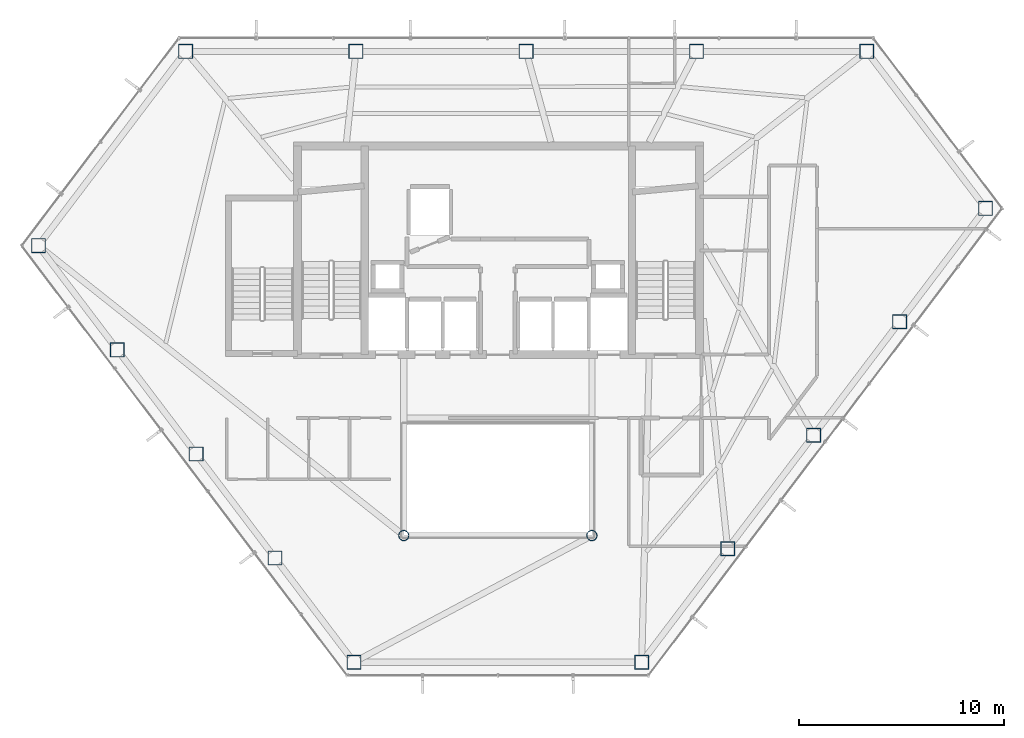
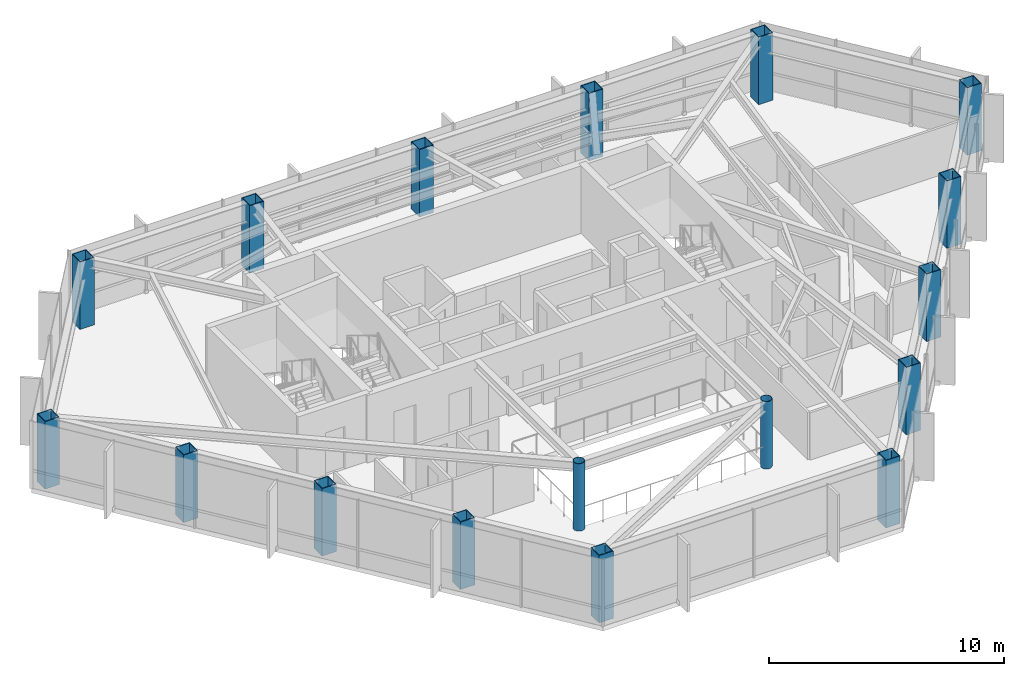
# One storey, part 1 of 27: 17 columns.
"""IFC4 building model written with IfcOpenShell, lengths in metres."""

from ifc_helpers import new_model, si_unit, direction, frame, origin, origin_2d, place, context, subcontext, project, spatial, hollow_rectangle, hollow_circle, extrude, material, material_profile, profile_set, type_object, element, save


model = new_model("IFC4")

# Units and contexts
model_context = context("Model", 3, precision=1e-05, world=origin(), true_north=direction((0.0, 1.0)))
body_context = subcontext(model_context, "Body", "Model", "MODEL_VIEW")
ifc_project = project(units=[si_unit("LENGTHUNIT", "METRE"), si_unit("AREAUNIT", "SQUARE_METRE"), si_unit("VOLUMEUNIT", "CUBIC_METRE"), si_unit("PLANEANGLEUNIT", "RADIAN"), si_unit("MASSUNIT", "GRAM", prefix="KILO")], contexts=[model_context])

# Site, building, storey
site_placement = place(None, origin())
site = spatial("IfcSite", under=ifc_project, at=site_placement, CompositionType="ELEMENT")
building_placement = place(site_placement, origin())
building = spatial("IfcBuilding", under=site, at=building_placement, Name="Zarrinselat Tower", CompositionType="ELEMENT")
storey_placement = place(building_placement, frame((0.0, 0.0, 175.780029296875)))
storey = spatial("IfcBuildingStorey", under=building, at=storey_placement, Name="L43", CompositionType="ELEMENT", Elevation=175.780029296875)

# Columns
ifc_material_1 = material(Name="Steel S355J2", Category="steel")
ifc_material_profile_1 = material_profile(ifc_material_1, hollow_circle(Radius=0.25390625, WallThickness=0.02001953125, at=origin_2d()), Name="CHS 508x20")
ifc_profile_set_1 = profile_set([ifc_material_profile_1], Name="Steel S355J2")
column_type_1 = type_object("IfcColumnType", Name="COL-CHS508", PredefinedType="COLUMN", material=ifc_profile_set_1)
for number, where, z_axis, x_axis, name in (
    (1, (33.800048828125, 24.39990234375, 0.0), (0.0, 0.0, 1.0), (1.0, 0.0, 0.0), "L43 Atrium Corner Column 1"),
    (2, (43.0, 24.39990234375, 0.0), (0.0, 0.0, 1.0), (1.0, 0.0, 0.0), "L43 Atrium Corner Column 2"),
):
    element("IfcColumn", number, at=place(storey_placement, frame(where, z_axis=z_axis, x_axis=x_axis)), inside=storey, type_object=column_type_1, Name=name, PredefinedType="COLUMN", context=body_context, shape_type="SweptSolid", body=[
        extrude(hollow_circle(Radius=0.25390625, WallThickness=0.02001953125, at=origin_2d()), origin(), (0.0, 0.0, 1.0), 3.5),
    ])
ifc_material_2 = material(Name="Steel S355J2", Category="steel")
ifc_material_profile_2 = material_profile(ifc_material_2, hollow_rectangle(XDim=0.699951171875, YDim=0.699951171875, WallThickness=0.034912109375, at=origin_2d()), Name="SHS 700x700x35")
ifc_profile_set_2 = profile_set([ifc_material_profile_2], Name="Steel S355J2")
column_type_2 = type_object("IfcColumnType", Name="COL-SHS700", PredefinedType="COLUMN", material=ifc_profile_set_2)
for number, where, z_axis, x_axis, name in (
    (3, (56.435791015625, 48.072265625, 0.0), (0.0, 0.0, 1.0), (1.0, 0.0, 0.0), "L43 Framed-Tube Column T01"),
    (4, (48.110107421875, 48.072265625, 0.0), (0.0, 0.0, 1.0), (1.0, 0.0, 0.0), "L43 Framed-Tube Column T02"),
    (5, (39.784423828125, 48.072265625, 0.0), (0.0, 0.0, 1.0), (1.0, 0.0, 0.0), "L43 Framed-Tube Column T03"),
    (6, (31.45849609375, 48.072265625, 0.0), (0.0, 0.0, 1.0), (1.0, 0.0, 0.0), "L43 Framed-Tube Column T04"),
    (7, (23.1328125, 48.072265625, 0.0), (0.0, 0.0, 1.0), (1.0, 0.0, 0.0), "L43 Framed-Tube Column T05"),
    (8, (15.935546875, 38.57177734375, 0.0), (0.0, 0.0, 1.0), (1.0, 0.0, 0.0), "L43 Framed-Tube Column T06"),
    (9, (19.79296875, 33.47998046875, 0.0), (0.0, 0.0, 1.0), (1.0, 0.0, 0.0), "L43 Framed-Tube Column T07"),
    (10, (23.650146484375, 28.388427734375, 0.0), (0.0, 0.0, 1.0), (1.0, 0.0, 0.0), "L43 Framed-Tube Column T08"),
    (11, (27.50732421875, 23.296875, 0.0), (0.0, 0.0, 1.0), (1.0, 0.0, 0.0), "L43 Framed-Tube Column T09"),
    (12, (31.364501953125, 18.205322265625, 0.0), (0.0, 0.0, 1.0), (1.0, 0.0, 0.0), "L43 Framed-Tube Column T10"),
    (13, (45.435302734375, 18.205322265625, 0.0), (0.0, 0.0, 1.0), (1.0, 0.0, 0.0), "L43 Framed-Tube Column T11"),
    (14, (49.638916015625, 23.753662109375, 0.0), (0.0, 0.0, 1.0), (1.0, 0.0, 0.0), "L43 Framed-Tube Column T12"),
    (15, (53.842041015625, 29.30224609375, 0.0), (0.0, 0.0, 1.0), (1.0, 0.0, 0.0), "L43 Framed-Tube Column T13"),
    (16, (58.04541015625, 34.8505859375, 0.0), (0.0, 0.0, 1.0), (1.0, 0.0, 0.0), "L43 Framed-Tube Column T14"),
    (17, (62.248779296875, 40.39892578125, 0.0), (0.0, 0.0, 1.0), (1.0, 0.0, 0.0), "L43 Framed-Tube Column T15"),
):
    element("IfcColumn", number, at=place(storey_placement, frame(where, z_axis=z_axis, x_axis=x_axis)), inside=storey, type_object=column_type_2, Name=name, PredefinedType="COLUMN", context=body_context, shape_type="SweptSolid", body=[
        extrude(hollow_rectangle(XDim=0.699951171875, YDim=0.699951171875, WallThickness=0.034912109375, at=origin_2d()), origin(), (0.0, 0.0, 1.0), 3.5),
    ])

save(model, "model.ifc")
